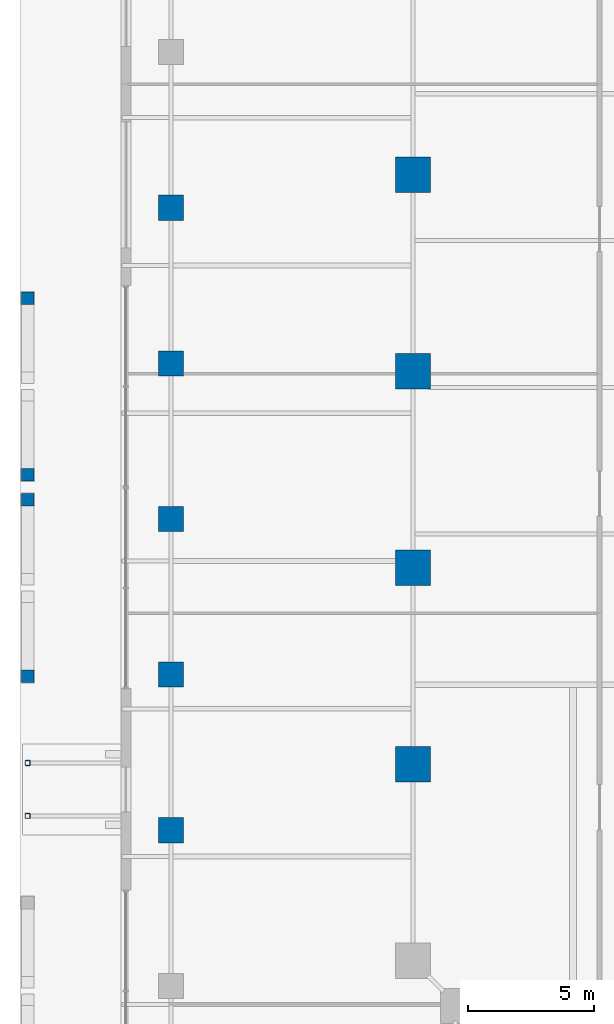
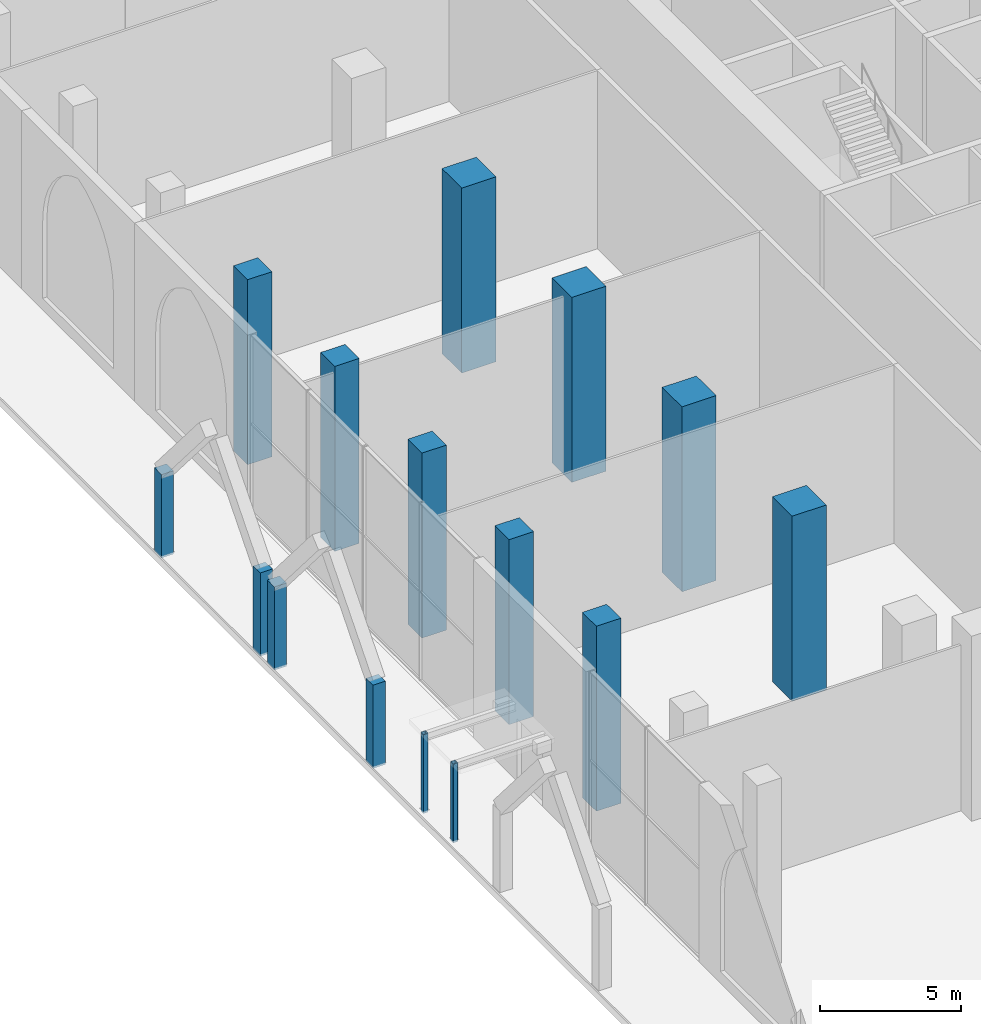
# One storey, part 5 of 38: 15 columns.
"""IFC4 building model written with IfcOpenShell, lengths in metres."""

import ifcopenshell
import ifcopenshell.guid

model = None  # the IFC model being written
_history = None  # IfcOwnerHistory: only IFC2X3 demands one
_inside = {}  # id of a spatial element -> (the spatial element, [elements in it])
_under = {}  # id of a project, library or spatial element -> (it, [spatial elements below it])
_declared = {}  # id of a project -> (the project, [libraries it declares])
_typed = {}  # id of a type object -> (the type object, [elements of that type])
_made_of = {}  # id of a material, layer set ... -> (it, [elements and type objects made of it])


def new_model(schema):
    """Start an empty IFC model of exactly this schema.

    Asked for "IFC4X3", IfcOpenShell would pick the latest addendum, in which some entities
    have other attributes; the version numbers below select the first issue.
    IFC2X3 requires an IfcOwnerHistory on every rooted entity: one is made here for all.
    """
    global model, _history
    if schema == "IFC4X3":
        model = ifcopenshell.file(schema_version=(4, 3, 0, 0))
    else:
        model = ifcopenshell.file(schema=schema)
    _inside.clear()
    _under.clear()
    _declared.clear()
    _typed.clear()
    _made_of.clear()
    _history = None
    if model.schema == "IFC2X3":
        org = make("IfcOrganization", Name="unknown")
        user = make(
            "IfcPersonAndOrganization",
            ThePerson=make("IfcPerson", FamilyName="unknown"),
            TheOrganization=org,
        )
        app = make(
            "IfcApplication",
            ApplicationDeveloper=org,
            Version="unknown",
            ApplicationFullName="unknown",
            ApplicationIdentifier="unknown",
        )
        _history = make(
            "IfcOwnerHistory",
            OwningUser=user,
            OwningApplication=app,
            ChangeAction="ADDED",
            CreationDate=0,
        )
    return model


def make(cls, **values):
    """One entity of the class cls with the attributes given. An attribute that is None is left unset."""
    return model.create_entity(
        cls, **{name: value for name, value in values.items() if value is not None}
    )


def rooted(cls, **values):
    """An entity with a GlobalId (a new one), such as an element, a storey or a relation."""
    return make(cls, GlobalId=ifcopenshell.guid.new(), OwnerHistory=_history, **values)


def si_unit(unit_type, name, prefix=None):
    """IfcSIUnit, for example si_unit("LENGTHUNIT", "METRE", prefix="MILLI")."""
    return make("IfcSIUnit", UnitType=unit_type, Prefix=prefix, Name=name)


def assignment(units):
    """IfcUnitAssignment: the units of a project."""
    return None if units is None else make("IfcUnitAssignment", Units=units)


def point(xyz):
    """IfcCartesianPoint."""
    return None if xyz is None else make("IfcCartesianPoint", Coordinates=xyz)


def direction(xyz):
    """IfcDirection."""
    return None if xyz is None else make("IfcDirection", DirectionRatios=xyz)


def frame(location, z_axis=None, x_axis=None):
    """IfcAxis2Placement3D, a coordinate frame: its origin and axes. An axis left out is left unset."""
    return make(
        "IfcAxis2Placement3D",
        Location=point(location),
        Axis=direction(z_axis),
        RefDirection=direction(x_axis),
    )


def frame_2d(location, x_axis=None):
    """IfcAxis2Placement2D, a coordinate frame in the plane: its origin and x axis."""
    return make(
        "IfcAxis2Placement2D", Location=point(location), RefDirection=direction(x_axis)
    )


def origin():
    """The frame at (0, 0, 0) with its axes left unset."""
    return frame((0.0, 0.0, 0.0))


def origin_2d():
    """The frame at (0, 0) in the plane with its x axis left unset."""
    return frame_2d((0.0, 0.0))


def place(relative_to, where):
    """IfcLocalPlacement: puts the frame where relative to a parent placement (None: the world)."""
    return make(
        "IfcLocalPlacement", PlacementRelTo=relative_to, RelativePlacement=where
    )


def context(
    kind, dimensions, precision=None, world=None, true_north=None, identifier=None
):
    """IfcGeometricRepresentationContext, for example the 3D "Model" context."""
    return make(
        "IfcGeometricRepresentationContext",
        ContextIdentifier=identifier,
        ContextType=kind,
        CoordinateSpaceDimension=dimensions,
        Precision=precision,
        WorldCoordinateSystem=world,
        TrueNorth=true_north,
    )


def subcontext(parent, identifier, kind, view, scale=None):
    """IfcGeometricRepresentationSubContext, for example "Body" below "Model"."""
    return make(
        "IfcGeometricRepresentationSubContext",
        ContextIdentifier=identifier,
        ContextType=kind,
        ParentContext=parent,
        TargetScale=scale,
        TargetView=view,
    )


def project(units=None, contexts=None):
    """IfcProject with its units and contexts."""
    return rooted(
        "IfcProject",
        Name="project",
        RepresentationContexts=contexts,
        UnitsInContext=assignment(units),
    )


def spatial(cls, under=None, at=None, **own):
    """A site, building, storey or space (cls), placed at a placement, below another one or the project."""
    s = rooted(cls, ObjectPlacement=at, **own)
    if under is not None:
        _under.setdefault(under.id(), (under, []))[1].append(s)
    return s


def profile(cls, at=None, kind="AREA", **sizes):
    """A parametric profile (cls). Its sizes go by their IFC names, for example OverallWidth=200.0."""
    return make(cls, ProfileType=kind, Position=at, **sizes)


def rectangle(**sizes):
    """IfcRectangleProfileDef."""
    return profile("IfcRectangleProfileDef", **sizes)


def hollow_rectangle(**sizes):
    """IfcRectangleHollowProfileDef."""
    return profile("IfcRectangleHollowProfileDef", **sizes)


def extrude(swept, where, along, depth):
    """IfcExtrudedAreaSolid: the profile swept, set in the frame where, extruded along a direction by depth."""
    return make(
        "IfcExtrudedAreaSolid",
        SweptArea=swept,
        Position=where,
        ExtrudedDirection=direction(along),
        Depth=depth,
    )


def shape(context_of_items, identifier, shape_type, items):
    """IfcShapeRepresentation: the items that make up one representation, for example the "Body"."""
    return make(
        "IfcShapeRepresentation",
        ContextOfItems=context_of_items,
        RepresentationIdentifier=identifier,
        RepresentationType=shape_type,
        Items=items,
    )


def material(Name=None, Category=None):
    """IfcMaterial."""
    return make("IfcMaterial", Name=Name, Category=Category)


def material_profile(
    of_material, cross_section, Name=None, Category=None, Priority=None
):
    """IfcMaterialProfile: a cross section and its material."""
    return make(
        "IfcMaterialProfile",
        Name=Name,
        Material=of_material,
        Profile=cross_section,
        Priority=Priority,
        Category=Category,
    )


def profile_set(profiles, Name=None, composite=None):
    """IfcMaterialProfileSet."""
    return make(
        "IfcMaterialProfileSet",
        Name=Name,
        MaterialProfiles=profiles,
        CompositeProfile=composite,
    )


def made_of(thing, what):
    """Note that an element or type object is made of a material, layer set ...; save() writes the relation."""
    if what is not None:
        _made_of.setdefault(what.id(), (what, []))[1].append(thing)
    return thing


def type_object(cls, material=None, **own):
    """A type object (cls), such as IfcWallType, which elements share."""
    return made_of(rooted(cls, **own), material)


def element(
    cls,
    number,
    at=None,
    inside=None,
    cuts=None,
    type_object=None,
    material=None,
    context=None,
    identifier="Body",
    shape_type=None,
    held_by="IfcProductDefinitionShape",
    body=None,
    shapes=None,
    **own,
):
    """One element of the class cls, such as IfcWall. Its Tag is "e" and its number.

    at: its placement. inside: the storey or other place that contains it. cuts: it is an
    opening in that element (IfcRelVoidsElement). A single representation is given by context,
    identifier, shape_type and body (its items); several are given by shapes. held_by: the class
    of the entity that holds the representations. save() writes the other relations.
    """
    e = rooted(cls, Tag="e%d" % number, ObjectPlacement=at, **own)
    if body is not None:
        shapes = [shape(context, identifier, shape_type, body)]
    if shapes is not None:
        e.Representation = make(held_by, Representations=shapes)
    if inside is not None:
        _inside.setdefault(inside.id(), (inside, []))[1].append(e)
    if cuts is not None:
        rooted(
            "IfcRelVoidsElement", RelatingBuildingElement=cuts, RelatedOpeningElement=e
        )
    if type_object is not None:
        _typed.setdefault(type_object.id(), (type_object, []))[1].append(e)
    return made_of(e, material)


def aggregate(whole, parts):
    """IfcRelAggregates: a whole, such as a stair, and the parts it consists of."""
    return rooted("IfcRelAggregates", RelatingObject=whole, RelatedObjects=parts)


def save(model, path):
    """Write the relations noted so far, then the file.

    IfcRelAggregates (storeys below a building ...), IfcRelContainedInSpatialStructure (elements
    in a storey), IfcRelDefinesByType, IfcRelAssociatesMaterial and IfcRelDeclares: one each for
    every whole, place, type object, material and project.
    """
    for whole, parts in _under.values():
        aggregate(whole, parts)
    for where, things in _inside.values():
        rooted(
            "IfcRelContainedInSpatialStructure",
            RelatedElements=things,
            RelatingStructure=where,
        )
    for kind, things in _typed.values():
        rooted("IfcRelDefinesByType", RelatedObjects=things, RelatingType=kind)
    for what, things in _made_of.values():
        rooted("IfcRelAssociatesMaterial", RelatedObjects=things, RelatingMaterial=what)
    for by, libraries in _declared.values():
        rooted("IfcRelDeclares", RelatingContext=by, RelatedDefinitions=libraries)
    model.write(path)


model = new_model("IFC4")

# Units and contexts
model_context = context("Model", 3, precision=1e-05, world=origin(), true_north=direction((0.0, 1.0)))
body_context = subcontext(model_context, "Body", "Model", "MODEL_VIEW")
ifc_project = project(units=[si_unit("LENGTHUNIT", "METRE"), si_unit("AREAUNIT", "SQUARE_METRE"), si_unit("VOLUMEUNIT", "CUBIC_METRE"), si_unit("PLANEANGLEUNIT", "RADIAN"), si_unit("MASSUNIT", "GRAM", prefix="KILO")], contexts=[model_context])

# Site, building, storey
site_placement = place(None, origin())
site = spatial("IfcSite", under=ifc_project, at=site_placement, CompositionType="ELEMENT")
building_placement = place(site_placement, origin())
building = spatial("IfcBuilding", under=site, at=building_placement, Name="Ogive Exchange Tower", CompositionType="ELEMENT")
storey_placement = place(building_placement, origin())
storey = spatial("IfcBuildingStorey", under=building, at=storey_placement, Name="L00", CompositionType="ELEMENT", Elevation=0.0)

# Columns
ifc_material_1 = material(Name="Concrete C70/85", Category="concrete")
ifc_material_profile_1 = material_profile(ifc_material_1, rectangle(XDim=0.5, YDim=0.5, at=origin_2d()), Name="RC 500x500")
ifc_profile_set_1 = profile_set([ifc_material_profile_1], Name="Concrete C70/85")
column_type_1 = type_object("IfcColumnType", Name="Arcade pier 500x500", PredefinedType="COLUMN", material=ifc_profile_set_1)
for number, where, z_axis, x_axis, name in (
    (1, (-47.699951171875, -0.5, -0.10009765625), (0.0, 0.0, 1.0), (1.0, 0.0, 0.0), "Arcade pier"),
    (2, (-47.699951171875, -7.5, -0.10009765625), (0.0, 0.0, 1.0), (1.0, 0.0, 0.0), "Arcade pier"),
    (3, (-47.699951171875, -8.5, -0.10009765625), (0.0, 0.0, 1.0), (1.0, 0.0, 0.0), "Arcade pier"),
    (4, (-47.699951171875, -15.5, -0.10009765625), (0.0, 0.0, 1.0), (1.0, 0.0, 0.0), "Arcade pier"),
):
    element("IfcColumn", number, at=place(storey_placement, frame(where, z_axis=z_axis, x_axis=x_axis)), inside=storey, type_object=column_type_1, Name=name, PredefinedType="COLUMN", context=body_context, shape_type="SweptSolid", body=[
        extrude(rectangle(XDim=0.5, YDim=0.5, at=origin_2d()), origin(), (0.0, 0.0, 1.0), 3.60009765625),
    ])
ifc_material_2 = material(Name="Steel ASTM A1085 Gr A", Category="steel")
ifc_material_profile_2 = material_profile(ifc_material_2, hollow_rectangle(XDim=0.202880859375, YDim=0.202880859375, WallThickness=0.0126953125, InnerFilletRadius=0.0126953125, OuterFilletRadius=0.025390625, at=origin_2d()), Name="HSS203.2x203.2x12.7")
ifc_profile_set_2 = profile_set([ifc_material_profile_2], Name="Steel ASTM A1085 Gr A")
column_type_2 = type_object("IfcColumnType", Name="Canopy post HSS203.2x203.2x12.7", PredefinedType="COLUMN", material=ifc_profile_set_2)
for number, where, z_axis, x_axis, name in (
    (5, (-47.699951171875, -18.949951171875, -0.10009765625), (0.0, 0.0, 1.0), (0.0, -1.0, 0.0), "Canopy post"),
    (6, (-47.699951171875, -21.050048828125, -0.10009765625), (0.0, 0.0, 1.0), (0.0, -1.0, 0.0), "Canopy post"),
):
    element("IfcColumn", number, at=place(storey_placement, frame(where, z_axis=z_axis, x_axis=x_axis)), inside=storey, type_object=column_type_2, Name=name, PredefinedType="COLUMN", context=body_context, shape_type="SweptSolid", body=[
        extrude(hollow_rectangle(XDim=0.202880859375, YDim=0.202880859375, WallThickness=0.0126953125, InnerFilletRadius=0.0126953125, OuterFilletRadius=0.025390625, at=origin_2d()), origin(), (0.0, 0.0, 1.0), 3.400146484375),
    ])
ifc_material_profile_3 = material_profile(ifc_material_1, rectangle(XDim=1.0, YDim=1.0, at=origin_2d()), Name="RC 1000x1000")
ifc_profile_set_3 = profile_set([ifc_material_profile_3], Name="Concrete C70/85")
column_type_3 = type_object("IfcColumnType", Name="RC column 1000x1000", PredefinedType="COLUMN", material=ifc_profile_set_3)
for number, where, z_axis, x_axis, name in (
    (7, (-42.0, -21.6201171875, 0.0), (0.0, 0.0, 1.0), (1.0, 0.0, 0.0), "Podium column"),
    (8, (-42.0, -15.43994140625, 0.0), (0.0, 0.0, 1.0), (1.0, 0.0, 0.0), "Podium column"),
    (9, (-42.0, -9.27001953125, 0.0), (0.0, 0.0, 1.0), (1.0, 0.0, 0.0), "Podium column"),
    (10, (-42.0, -3.090087890625, 0.0), (0.0, 0.0, 1.0), (1.0, 0.0, 0.0), "Podium column"),
    (11, (-42.0, 3.090087890625, 0.0), (0.0, 0.0, 1.0), (1.0, 0.0, 0.0), "Podium column"),
):
    element("IfcColumn", number, at=place(storey_placement, frame(where, z_axis=z_axis, x_axis=x_axis)), inside=storey, type_object=column_type_3, Name=name, PredefinedType="COLUMN", context=body_context, shape_type="SweptSolid", body=[
        extrude(rectangle(XDim=1.0, YDim=1.0, at=origin_2d()), origin(), (0.0, 0.0, 1.0), 8.0),
    ])
ifc_material_profile_4 = material_profile(ifc_material_1, rectangle(XDim=1.39990234375, YDim=1.39990234375, at=origin_2d()), Name="RC 1400x1400")
ifc_profile_set_4 = profile_set([ifc_material_profile_4], Name="Concrete C70/85")
column_type_4 = type_object("IfcColumnType", Name="RC column 1400x1400", PredefinedType="COLUMN", material=ifc_profile_set_4)
for number, where, z_axis, x_axis, name in (
    (12, (-32.39990234375, -19.0, 0.0), (0.0, 0.0, 1.0), (1.0, 0.0, 0.0), "Leg column"),
    (13, (-32.39990234375, -11.199951171875, 0.0), (0.0, 0.0, 1.0), (1.0, 0.0, 0.0), "Leg column"),
    (14, (-32.39990234375, -3.39990234375, 0.0), (0.0, 0.0, 1.0), (1.0, 0.0, 0.0), "Leg column"),
    (15, (-32.39990234375, 4.39990234375, 0.0), (0.0, 0.0, 1.0), (1.0, 0.0, 0.0), "Leg column"),
):
    element("IfcColumn", number, at=place(storey_placement, frame(where, z_axis=z_axis, x_axis=x_axis)), inside=storey, type_object=column_type_4, Name=name, PredefinedType="COLUMN", context=body_context, shape_type="SweptSolid", body=[
        extrude(rectangle(XDim=1.39990234375, YDim=1.39990234375, at=origin_2d()), origin(), (0.0, 0.0, 1.0), 8.0),
    ])

save(model, "model.ifc")
